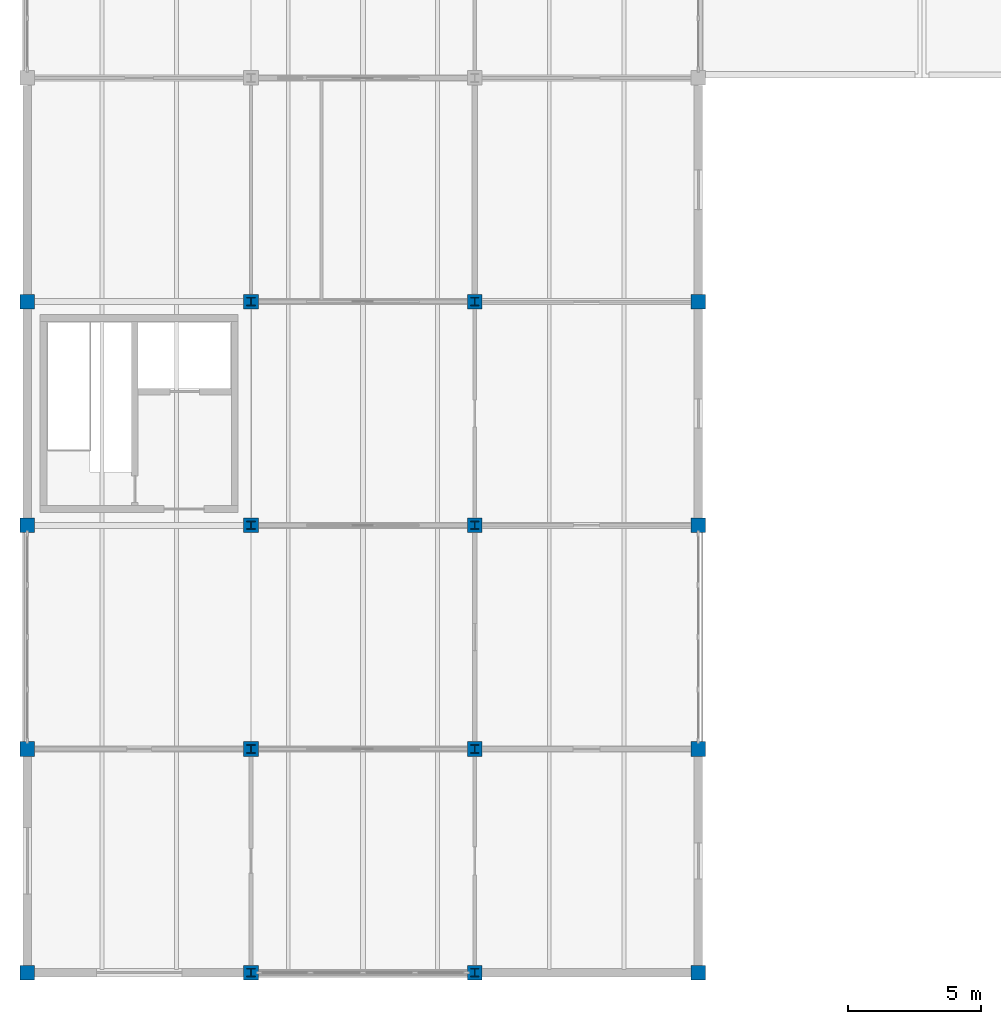
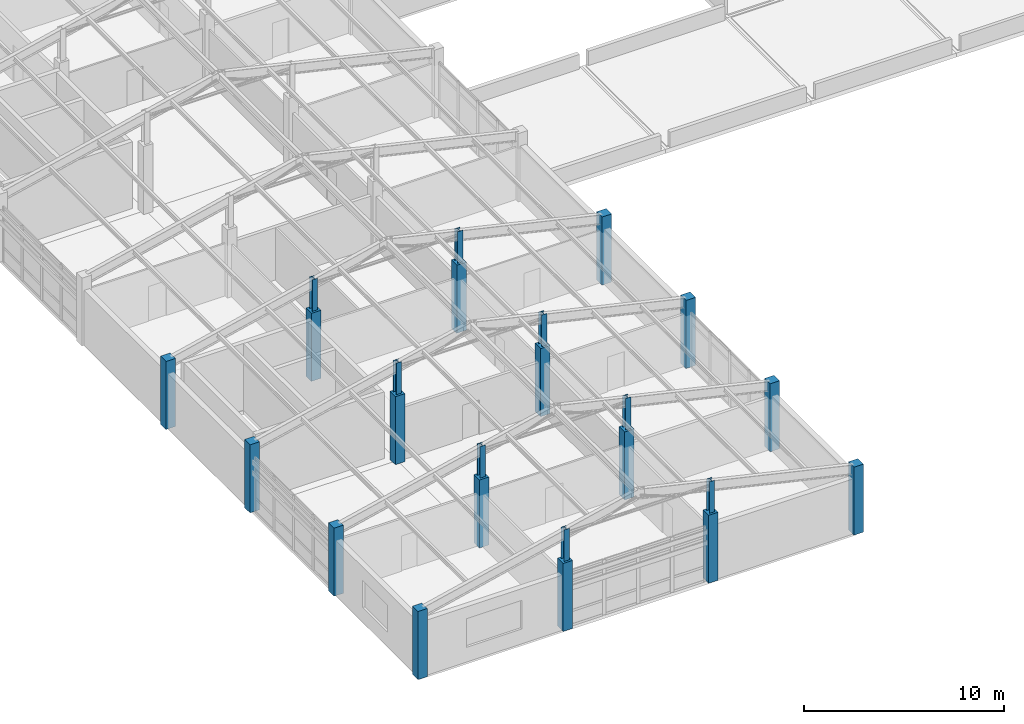
# One storey, part 1 of 40: 24 columns.
"""IFC4 building model written with IfcOpenShell, lengths in metres."""

from ifc_helpers import new_model, si_unit, direction, frame, origin, origin_2d, place, context, subcontext, project, spatial, rectangle, i_section, extrude, material, material_profile, profile_set, type_object, element, save


model = new_model("IFC4")

# Units and contexts
model_context = context("Model", 3, precision=1e-05, world=origin(), true_north=direction((0.0, 1.0)))
body_context = subcontext(model_context, "Body", "Model", "MODEL_VIEW")
ifc_project = project(units=[si_unit("LENGTHUNIT", "METRE"), si_unit("AREAUNIT", "SQUARE_METRE"), si_unit("VOLUMEUNIT", "CUBIC_METRE"), si_unit("PLANEANGLEUNIT", "RADIAN"), si_unit("MASSUNIT", "GRAM", prefix="KILO")], contexts=[model_context])

# Site, building, storey
site_placement = place(None, origin())
site = spatial("IfcSite", under=ifc_project, at=site_placement, CompositionType="ELEMENT")
building_placement = place(site_placement, origin())
building = spatial("IfcBuilding", under=site, at=building_placement, Name="Porcellanite Civic Hall", CompositionType="ELEMENT")
storey_placement = place(building_placement, frame((0.0, 0.0, 19.080078125)))
storey = spatial("IfcBuildingStorey", under=building, at=storey_placement, Name="L04", CompositionType="ELEMENT", Elevation=19.080078125)

# Columns
ifc_material_1 = material(Name="Concrete N50 (50 MPa)", Category="concrete")
ifc_material_profile_1 = material_profile(ifc_material_1, rectangle(XDim=0.550048828125, YDim=0.550048828125, at=origin_2d()), Name="RC-550x550")
ifc_profile_set_1 = profile_set([ifc_material_profile_1], Name="Concrete N50 (50 MPa)")
column_type_1 = type_object("IfcColumnType", Name="COL-550", PredefinedType="COLUMN", material=ifc_profile_set_1)
for number, where, z_axis, x_axis, name in (
    (1, (8.39990234375, 16.800048828125, 0.0), (0.0, 0.0, 1.0), (1.0, 0.0, 0.0), "Column L04 1-2"),
    (2, (8.39990234375, 25.199951171875, 0.0), (0.0, 0.0, 1.0), (1.0, 0.0, 0.0), "Column L04 1-3"),
    (3, (8.39990234375, 33.60009765625, 0.0), (0.0, 0.0, 1.0), (1.0, 0.0, 0.0), "Column L04 1-4"),
    (4, (8.39990234375, 42.0, 0.0), (0.0, 0.0, 1.0), (1.0, 0.0, 0.0), "Column L04 1-5"),
    (5, (16.800048828125, 16.800048828125, 0.0), (0.0, 0.0, 1.0), (1.0, 0.0, 0.0), "Column L04 2-2"),
    (6, (16.800048828125, 25.199951171875, 0.0), (0.0, 0.0, 1.0), (1.0, 0.0, 0.0), "Column L04 2-3"),
    (7, (16.800048828125, 33.60009765625, 0.0), (0.0, 0.0, 1.0), (1.0, 0.0, 0.0), "Column L04 2-4"),
    (8, (16.800048828125, 42.0, 0.0), (0.0, 0.0, 1.0), (1.0, 0.0, 0.0), "Column L04 2-5"),
    (9, (25.199951171875, 16.800048828125, 0.0), (0.0, 0.0, 1.0), (1.0, 0.0, 0.0), "Column L04 3-2"),
    (10, (25.199951171875, 25.199951171875, 0.0), (0.0, 0.0, 1.0), (1.0, 0.0, 0.0), "Column L04 3-3"),
    (11, (25.199951171875, 33.60009765625, 0.0), (0.0, 0.0, 1.0), (1.0, 0.0, 0.0), "Column L04 3-4"),
    (12, (25.199951171875, 42.0, 0.0), (0.0, 0.0, 1.0), (1.0, 0.0, 0.0), "Column L04 3-5"),
    (13, (33.60009765625, 16.800048828125, 0.0), (0.0, 0.0, 1.0), (1.0, 0.0, 0.0), "Column L04 4-2"),
    (14, (33.60009765625, 25.199951171875, 0.0), (0.0, 0.0, 1.0), (1.0, 0.0, 0.0), "Column L04 4-3"),
    (15, (33.60009765625, 33.60009765625, 0.0), (0.0, 0.0, 1.0), (1.0, 0.0, 0.0), "Column L04 4-4"),
    (16, (33.60009765625, 42.0, 0.0), (0.0, 0.0, 1.0), (1.0, 0.0, 0.0), "Column L04 4-5"),
):
    element("IfcColumn", number, at=place(storey_placement, frame(where, z_axis=z_axis, x_axis=x_axis)), inside=storey, type_object=column_type_1, Name=name, PredefinedType="COLUMN", context=body_context, shape_type="SweptSolid", body=[
        extrude(rectangle(XDim=0.550048828125, YDim=0.550048828125, at=origin_2d()), origin(), (0.0, 0.0, 1.0), 4.159912109375),
    ])
ifc_material_2 = material(Name="Steel Grade 350", Category="steel")
ifc_material_profile_2 = material_profile(ifc_material_2, i_section(OverallWidth=0.304931640625, OverallDepth=0.30810546875, WebThickness=0.010009765625, FlangeThickness=0.015380859375, FilletRadius=0.0166015625, at=origin_2d()), Name="310UC96.8")
ifc_profile_set_2 = profile_set([ifc_material_profile_2], Name="Steel Grade 350")
column_type_2 = type_object("IfcColumnType", Name="SCOL-310UC97", PredefinedType="COLUMN", material=ifc_profile_set_2)
for number, where, z_axis, x_axis, name in (
    (17, (16.800048828125, 16.800048828125, 4.159912109375), (0.0, 0.0, 1.0), (1.0, 0.0, 0.0), "Committee roof post 2-2"),
    (18, (25.199951171875, 16.800048828125, 4.159912109375), (0.0, 0.0, 1.0), (1.0, 0.0, 0.0), "Committee roof post 3-2"),
    (19, (16.800048828125, 25.199951171875, 4.159912109375), (0.0, 0.0, 1.0), (1.0, 0.0, 0.0), "Committee roof post 2-3"),
    (20, (25.199951171875, 25.199951171875, 4.159912109375), (0.0, 0.0, 1.0), (1.0, 0.0, 0.0), "Committee roof post 3-3"),
    (21, (16.800048828125, 33.60009765625, 4.159912109375), (0.0, 0.0, 1.0), (1.0, 0.0, 0.0), "Committee roof post 2-4"),
    (22, (25.199951171875, 33.60009765625, 4.159912109375), (0.0, 0.0, 1.0), (1.0, 0.0, 0.0), "Committee roof post 3-4"),
    (23, (16.800048828125, 42.0, 4.159912109375), (0.0, 0.0, 1.0), (1.0, 0.0, 0.0), "Committee roof post 2-5"),
    (24, (25.199951171875, 42.0, 4.159912109375), (0.0, 0.0, 1.0), (1.0, 0.0, 0.0), "Committee roof post 3-5"),
):
    element("IfcColumn", number, at=place(storey_placement, frame(where, z_axis=z_axis, x_axis=x_axis)), inside=storey, type_object=column_type_2, Name=name, PredefinedType="COLUMN", context=body_context, shape_type="SweptSolid", body=[
        extrude(i_section(OverallWidth=0.304931640625, OverallDepth=0.30810546875, WebThickness=0.010009765625, FlangeThickness=0.015380859375, FilletRadius=0.0166015625, at=origin_2d()), origin(), (0.0, 0.0, 1.0), 1.925048828125),
    ])

save(model, "model.ifc")
